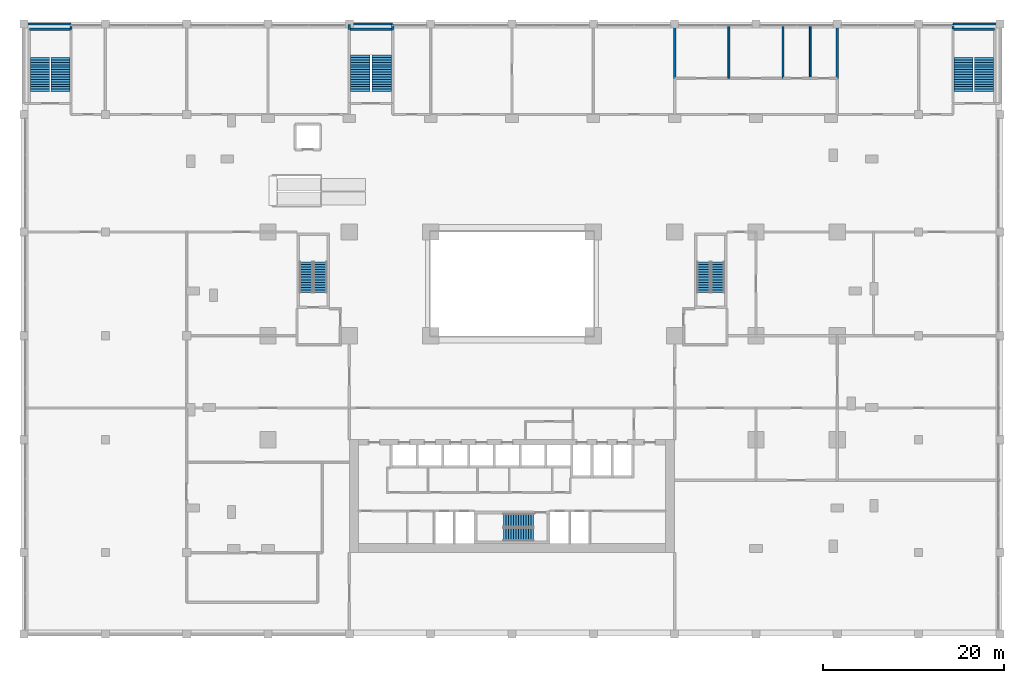
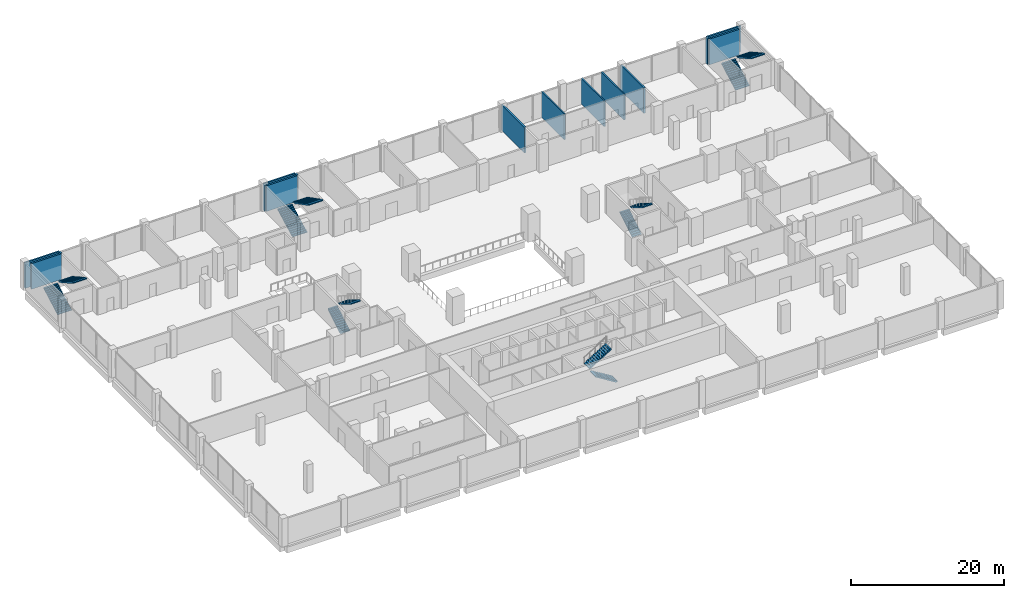
# One storey, part 20 of 22: 15 walls, 12 stair flights, 6 elements without a shape of their own.
"""IFC4 building model written with IfcOpenShell, lengths in metres."""

from ifc_helpers import new_model, si_unit, direction, frame, frame_2d, origin, place, context, subcontext, project, spatial, polyline, rectangle, outline, extrude, material, layer, layer_set, type_object, element, aggregate, save


model = new_model("IFC4")

# Units and contexts
model_context = context("Model", 3, precision=1e-05, world=origin(), true_north=direction((0.0, 1.0)))
body_context = subcontext(model_context, "Body", "Model", "MODEL_VIEW")
ifc_project = project(units=[si_unit("LENGTHUNIT", "METRE"), si_unit("AREAUNIT", "SQUARE_METRE"), si_unit("VOLUMEUNIT", "CUBIC_METRE"), si_unit("PLANEANGLEUNIT", "RADIAN"), si_unit("MASSUNIT", "GRAM", prefix="KILO")], contexts=[model_context])

# Site, building, storey
site_placement = place(None, origin())
site = spatial("IfcSite", under=ifc_project, at=site_placement, CompositionType="ELEMENT")
building_placement = place(site_placement, origin())
building = spatial("IfcBuilding", under=site, at=building_placement, Name="Brigalow Station Residences", CompositionType="ELEMENT")
storey_placement = place(building_placement, frame((0.0, 0.0, 6.5)))
storey = spatial("IfcBuildingStorey", under=building, at=storey_placement, Name="L01", CompositionType="ELEMENT", Elevation=6.5)

# Walls
ifc_material_1 = material(Name="Fire-rated plasterboard on steel studs", Category="steel")
ifc_layer_1 = layer(ifc_material_1, 0.25)
ifc_layer_set_1 = layer_set([ifc_layer_1], Name="FIRE PARTITION 250")
wall_type_1 = type_object("IfcWallType", Name="FIRE PARTITION 250", PredefinedType="PARTITIONING", material=ifc_layer_set_1)
for number, where, z_axis, x_axis, name in (
    (1, (-12.800048828125, 57.925048828125, 0.0), (0.0, 0.0, 1.0), (0.0, 1.0, 0.0), "Fire Partition 250 Retail Unit 1 / Exit Stair St-4 Services Riser North"),
    (2, (18.0, 57.925048828125, 0.0), (0.0, 0.0, 1.0), (0.0, 1.0, 0.0), "Fire Partition 250 Retail Unit 4 / Exit Stair St-6 Services Riser"),
    (3, (22.800048828125, 57.925048828125, 0.0), (0.0, 0.0, 1.0), (0.0, 1.0, 0.0), "Fire Partition 250 Retail Unit 5 / Exit Stair St-6 Services Riser"),
):
    element("IfcWall", number, at=place(storey_placement, frame(where, z_axis=z_axis, x_axis=x_axis)), inside=storey, type_object=wall_type_1, Name=name, PredefinedType="PARTITIONING", context=body_context, shape_type="SweptSolid", body=[
        extrude(rectangle(XDim=0.530029296875, YDim=0.25, at=frame_2d((0.26513671875, 0.0))), origin(), (0.0, 0.0, 1.0), 4.097900390625),
    ])
for number, where, z_axis, x_axis, name in (
    (4, (54.0, 52.5, 0.0), (0.0, 0.0, 1.0), (0.0, 1.0, 0.0), "Fire Partition 250 Retail Unit 6 / Women'S Wc"),
    (5, (72.0, 52.5, 0.0), (0.0, 0.0, 1.0), (0.0, 1.0, 0.0), "Fire Partition 250 Retail Unit 7 / Cleaners Store"),
):
    element("IfcWall", number, at=place(storey_placement, frame(where, z_axis=z_axis, x_axis=x_axis)), inside=storey, type_object=wall_type_1, Name=name, PredefinedType="PARTITIONING", context=body_context, shape_type="SweptSolid", body=[
        extrude(rectangle(XDim=6.0, YDim=0.25, at=frame_2d((3.0, 0.0))), origin(), (0.0, 0.0, 1.0), 4.097900390625),
    ])
wall_1_placement = place(storey_placement, frame((84.800048828125, 57.969970703125, 0.0), z_axis=(0.0, 0.0, 1.0), x_axis=(0.0, 1.0, 0.0)))
element("IfcWall", 6, at=wall_1_placement, inside=storey, type_object=wall_type_1, Name="Fire Partition 250 Retail Unit 8 / Exit Stair St-5 Services Riser North", PredefinedType="PARTITIONING", context=body_context, shape_type="SweptSolid", body=[
    extrude(rectangle(XDim=0.485107421875, YDim=0.25, at=frame_2d((0.24267578125, 0.0))), origin(), (0.0, 0.0, 1.0), 4.097900390625),
])
ifc_material_2 = material(Name="Plasterboard on steel studs with acoustic insulation", Category="steel")
ifc_layer_2 = layer(ifc_material_2, 0.199951171875)
ifc_layer_set_2 = layer_set([ifc_layer_2], Name="PARTITION 200")
wall_type_2 = type_object("IfcWallType", Name="PARTITION 200", PredefinedType="PARTITIONING", material=ifc_layer_set_2)
for number, where, z_axis, x_axis, name in (
    (7, (60.0, 52.5, 0.0), (0.0, 0.0, 1.0), (0.0, 1.0, 0.0), "Partition 200 Women'S Wc / Men'S Wc"),
    (8, (66.0, 52.5, 0.0), (0.0, 0.0, 1.0), (0.0, 1.0, 0.0), "Partition 200 Men'S Wc / Accessible Wc"),
    (9, (69.0, 52.5, 0.0), (0.0, 0.0, 1.0), (0.0, 1.0, 0.0), "Partition 200 Accessible Wc / Cleaners Store"),
):
    element("IfcWall", number, at=place(storey_placement, frame(where, z_axis=z_axis, x_axis=x_axis)), inside=storey, type_object=wall_type_2, Name=name, PredefinedType="PARTITIONING", context=body_context, shape_type="SweptSolid", body=[
        extrude(rectangle(XDim=6.0, YDim=0.199951171875, at=frame_2d((3.0, 0.0))), origin(), (0.0, 0.0, 1.0), 4.097900390625),
    ])
ifc_material_3 = material(Name="Concrete C50", Category="concrete")
ifc_layer_3 = layer(ifc_material_3, 0.25)
ifc_layer_set_3 = layer_set([ifc_layer_3], Name="STAIR ENCLOSURE 250")
wall_type_3 = type_object("IfcWallType", Name="STAIR ENCLOSURE 250", PredefinedType="SOLIDWALL", material=ifc_layer_set_3)
for number, where, z_axis, x_axis, name in (
    (10, (-17.3798828125, 57.925048828125, 0.0), (0.0, 0.0, 1.0), (1.0, 0.0, 0.0), "Stair Enclosure 250 Exit Stair St-4 / Exit Stair St-4 Services Riser North"),
    (11, (84.844970703125, 57.925048828125, 0.0), (0.0, 0.0, 1.0), (1.0, 0.0, 0.0), "Stair Enclosure 250 Exit Stair St-5 / Exit Stair St-5 Services Riser North"),
):
    element("IfcWall", number, at=place(storey_placement, frame(where, z_axis=z_axis, x_axis=x_axis)), inside=storey, type_object=wall_type_3, Name=name, PredefinedType="SOLIDWALL", context=body_context, shape_type="SweptSolid", body=[
        extrude(rectangle(XDim=4.534912109375, YDim=0.25, at=frame_2d((2.267578125, 0.0))), origin(), (0.0, 0.0, 1.0), 4.097900390625),
    ])
wall_2_placement = place(storey_placement, frame((18.044921875, 57.925048828125, 0.0), z_axis=(0.0, 0.0, 1.0), x_axis=(1.0, 0.0, 0.0)))
element("IfcWall", 12, at=wall_2_placement, inside=storey, type_object=wall_type_3, Name="Stair Enclosure 250 Exit Stair St-6 / Exit Stair St-6 Services Riser", PredefinedType="SOLIDWALL", context=body_context, shape_type="SweptSolid", body=[
    extrude(rectangle(XDim=4.7099609375, YDim=0.25, at=frame_2d((2.35498046875, 0.0))), origin(), (0.0, 0.0, 1.0), 4.097900390625),
])
ifc_material_4 = material(Name="Concrete C50", Category="concrete")
ifc_layer_4 = layer(ifc_material_4, 0.25)
ifc_layer_set_4 = layer_set([ifc_layer_4], Name="STAIR ROOF WALL 250")
wall_type_4 = type_object("IfcWallType", Name="STAIR ROOF WALL 250", PredefinedType="SOLIDWALL", material=ifc_layer_set_4)
wall_3_placement = place(storey_placement, frame((-18.0, 58.5, 0.0), z_axis=(0.0, 0.0, 1.0), x_axis=(1.0, 0.0, 0.0)))
element("IfcWall", 13, at=wall_3_placement, inside=storey, type_object=wall_type_4, Name="Stair Roof Wall 250 Exit Stair St-4 Services Riser North / OUT", PredefinedType="SOLIDWALL", context=body_context, shape_type="SweptSolid", body=[
    extrude(rectangle(XDim=5.199951171875, YDim=0.25, at=frame_2d((2.60009765625, 0.0))), origin(), (0.0, 0.0, 1.0), 4.097900390625),
])
wall_4_placement = place(storey_placement, frame((84.800048828125, 58.5, 0.0), z_axis=(0.0, 0.0, 1.0), x_axis=(1.0, 0.0, 0.0)))
element("IfcWall", 14, at=wall_4_placement, inside=storey, type_object=wall_type_4, Name="Stair Roof Wall 250 Exit Stair St-5 Services Riser North / OUT", PredefinedType="SOLIDWALL", context=body_context, shape_type="SweptSolid", body=[
    extrude(rectangle(XDim=5.155029296875, YDim=0.25, at=frame_2d((2.57763671875, 0.0))), origin(), (0.0, 0.0, 1.0), 4.097900390625),
])
wall_5_placement = place(storey_placement, frame((18.0, 58.5, 0.0), z_axis=(0.0, 0.0, 1.0), x_axis=(1.0, 0.0, 0.0)))
element("IfcWall", 15, at=wall_5_placement, inside=storey, type_object=wall_type_4, Name="Stair Roof Wall 250 Exit Stair St-6 Services Riser / OUT", PredefinedType="SOLIDWALL", context=body_context, shape_type="SweptSolid", body=[
    extrude(rectangle(XDim=4.800048828125, YDim=0.25, at=frame_2d((2.39990234375, 0.0))), origin(), (0.0, 0.0, 1.0), 4.097900390625),
])

# Stair, stair flights
ifc_material_5 = material(Name="Concrete C50", Category="concrete")
stair_type_1 = type_object("IfcStairType", Name="EXIT STAIR 1400 2 FLIGHT", PredefinedType="HALF_TURN_STAIR", material=ifc_material_5)
stair_1_placement = place(storey_placement, origin())
stair_1 = element("IfcStair", 16, at=stair_1_placement, inside=storey, type_object=stair_type_1, Name="EXIT STAIR S2 L01", PredefinedType="HALF_TURN_STAIR")
ifc_material_6 = material(Name="Concrete C50", Category="concrete")
stair_flight_type_1 = type_object("IfcStairFlightType", Name="STAIR FLIGHT 1400", PredefinedType="STRAIGHT", material=ifc_material_6)
stair_flight_1_placement = place(storey_placement, frame((38.39990234375, 2.0, 0.0), z_axis=(0.0, 0.0, 1.0), x_axis=(-1.0, 0.0, 0.0)))
stair_flight_1 = element("IfcStairFlight", 17, at=stair_flight_1_placement, type_object=stair_flight_type_1, Name="ST-2 flight 1", NumberOfRisers=13, NumberOfTreads=12, PredefinedType="STRAIGHT", RiserHeight=0.173076923, TreadLength=0.28, context=body_context, shape_type="SweptSolid", body=[
    extrude(outline(polyline([(0.0, 0.0), (0.0, 0.173095703125), (0.280029296875, 0.173095703125), (0.280029296875, 0.34619140625), (0.56005859375, 0.34619140625), (0.56005859375, 0.519287109375), (0.840087890625, 0.519287109375), (0.840087890625, 0.6923828125), (1.1201171875, 0.6923828125), (1.1201171875, 0.865478515625), (1.39990234375, 0.865478515625), (1.39990234375, 1.03857421875), (1.679931640625, 1.03857421875), (1.679931640625, 1.21142578125), (1.9599609375, 1.21142578125), (1.9599609375, 1.384521484375), (2.239990234375, 1.384521484375), (2.239990234375, 1.5576171875), (2.52001953125, 1.5576171875), (2.52001953125, 1.730712890625), (2.800048828125, 1.730712890625), (2.800048828125, 1.90380859375), (3.080078125, 1.90380859375), (3.080078125, 2.076904296875), (3.360107421875, 2.076904296875), (3.360107421875, 2.25), (3.360107421875, 1.900634765625), (0.28515625, 0.0), (0.0, 0.0)])), frame((0.0, 0.699951171875, 0.0), z_axis=(0.0, -1.0, 0.0), x_axis=(1.0, 0.0, 0.0)), (0.0, 0.0, 1.0), 1.39990234375),
])
stair_flight_2_placement = place(storey_placement, frame((35.0400390625, 3.60009765625, 2.25), z_axis=(0.0, 0.0, 1.0), x_axis=(1.0, 0.0, 0.0)))
stair_flight_2 = element("IfcStairFlight", 18, at=stair_flight_2_placement, type_object=stair_flight_type_1, Name="ST-2 flight 2", NumberOfRisers=13, NumberOfTreads=12, PredefinedType="STRAIGHT", RiserHeight=0.173076923, TreadLength=0.28, context=body_context, shape_type="SweptSolid", body=[
    extrude(outline(polyline([(0.0, 0.0), (0.0, 0.173095703125), (0.280029296875, 0.173095703125), (0.280029296875, 0.34619140625), (0.56005859375, 0.34619140625), (0.56005859375, 0.519287109375), (0.840087890625, 0.519287109375), (0.840087890625, 0.6923828125), (1.1201171875, 0.6923828125), (1.1201171875, 0.865478515625), (1.39990234375, 0.865478515625), (1.39990234375, 1.03857421875), (1.679931640625, 1.03857421875), (1.679931640625, 1.21142578125), (1.9599609375, 1.21142578125), (1.9599609375, 1.384521484375), (2.239990234375, 1.384521484375), (2.239990234375, 1.5576171875), (2.52001953125, 1.5576171875), (2.52001953125, 1.730712890625), (2.800048828125, 1.730712890625), (2.800048828125, 1.90380859375), (3.080078125, 1.90380859375), (3.080078125, 2.076904296875), (3.360107421875, 2.076904296875), (3.360107421875, 2.25), (3.360107421875, 1.900634765625), (0.28515625, 0.0), (0.0, 0.0)])), frame((0.0, 0.699951171875, 0.0), z_axis=(0.0, -1.0, 0.0), x_axis=(1.0, 0.0, 0.0)), (0.0, 0.0, 1.0), 1.39990234375),
])
aggregate(stair_1, [stair_flight_1, stair_flight_2])

stair_2_placement = place(storey_placement, origin())
stair_2 = element("IfcStair", 19, at=stair_2_placement, inside=storey, type_object=stair_type_1, Name="EXIT STAIR S1 L01", PredefinedType="HALF_TURN_STAIR")
stair_flight_3_placement = place(storey_placement, frame((13.199951171875, 28.800048828125, 0.0), z_axis=(0.0, 0.0, 1.0), x_axis=(0.0, 1.0, 0.0)))
stair_flight_3 = element("IfcStairFlight", 20, at=stair_flight_3_placement, type_object=stair_flight_type_1, Name="ST-1 flight 1", NumberOfRisers=13, NumberOfTreads=12, PredefinedType="STRAIGHT", RiserHeight=0.173076923, TreadLength=0.28, context=body_context, shape_type="SweptSolid", body=[
    extrude(outline(polyline([(0.0, 0.0), (0.0, 0.173095703125), (0.280029296875, 0.173095703125), (0.280029296875, 0.34619140625), (0.56005859375, 0.34619140625), (0.56005859375, 0.519287109375), (0.840087890625, 0.519287109375), (0.840087890625, 0.6923828125), (1.1201171875, 0.6923828125), (1.1201171875, 0.865478515625), (1.39990234375, 0.865478515625), (1.39990234375, 1.03857421875), (1.679931640625, 1.03857421875), (1.679931640625, 1.21142578125), (1.9599609375, 1.21142578125), (1.9599609375, 1.384521484375), (2.239990234375, 1.384521484375), (2.239990234375, 1.5576171875), (2.52001953125, 1.5576171875), (2.52001953125, 1.730712890625), (2.800048828125, 1.730712890625), (2.800048828125, 1.90380859375), (3.080078125, 1.90380859375), (3.080078125, 2.076904296875), (3.360107421875, 2.076904296875), (3.360107421875, 2.25), (3.360107421875, 1.900634765625), (0.28515625, 0.0), (0.0, 0.0)])), frame((0.0, 0.699951171875, 0.0), z_axis=(0.0, -1.0, 0.0), x_axis=(1.0, 0.0, 0.0)), (0.0, 0.0, 1.0), 1.39990234375),
])
stair_flight_4_placement = place(storey_placement, frame((14.800048828125, 32.159912109375, 2.25), z_axis=(0.0, 0.0, 1.0), x_axis=(0.0, -1.0, 0.0)))
stair_flight_4 = element("IfcStairFlight", 21, at=stair_flight_4_placement, type_object=stair_flight_type_1, Name="ST-1 flight 2", NumberOfRisers=13, NumberOfTreads=12, PredefinedType="STRAIGHT", RiserHeight=0.173076923, TreadLength=0.28, context=body_context, shape_type="SweptSolid", body=[
    extrude(outline(polyline([(0.0, 0.0), (0.0, 0.173095703125), (0.280029296875, 0.173095703125), (0.280029296875, 0.34619140625), (0.56005859375, 0.34619140625), (0.56005859375, 0.519287109375), (0.840087890625, 0.519287109375), (0.840087890625, 0.6923828125), (1.1201171875, 0.6923828125), (1.1201171875, 0.865478515625), (1.39990234375, 0.865478515625), (1.39990234375, 1.03857421875), (1.679931640625, 1.03857421875), (1.679931640625, 1.21142578125), (1.9599609375, 1.21142578125), (1.9599609375, 1.384521484375), (2.239990234375, 1.384521484375), (2.239990234375, 1.5576171875), (2.52001953125, 1.5576171875), (2.52001953125, 1.730712890625), (2.800048828125, 1.730712890625), (2.800048828125, 1.90380859375), (3.080078125, 1.90380859375), (3.080078125, 2.076904296875), (3.360107421875, 2.076904296875), (3.360107421875, 2.25), (3.360107421875, 1.900634765625), (0.28515625, 0.0), (0.0, 0.0)])), frame((0.0, 0.699951171875, 0.0), z_axis=(0.0, -1.0, 0.0), x_axis=(1.0, 0.0, 0.0)), (0.0, 0.0, 1.0), 1.39990234375),
])
aggregate(stair_2, [stair_flight_3, stair_flight_4])

stair_3_placement = place(storey_placement, origin())
stair_3 = element("IfcStair", 22, at=stair_3_placement, inside=storey, type_object=stair_type_1, Name="EXIT STAIR S3 L01", PredefinedType="HALF_TURN_STAIR")
stair_flight_5_placement = place(storey_placement, frame((57.199951171875, 28.800048828125, 0.0), z_axis=(0.0, 0.0, 1.0), x_axis=(0.0, 1.0, 0.0)))
stair_flight_5 = element("IfcStairFlight", 23, at=stair_flight_5_placement, type_object=stair_flight_type_1, Name="ST-3 flight 1", NumberOfRisers=13, NumberOfTreads=12, PredefinedType="STRAIGHT", RiserHeight=0.173076923, TreadLength=0.28, context=body_context, shape_type="SweptSolid", body=[
    extrude(outline(polyline([(0.0, 0.0), (0.0, 0.173095703125), (0.280029296875, 0.173095703125), (0.280029296875, 0.34619140625), (0.56005859375, 0.34619140625), (0.56005859375, 0.519287109375), (0.840087890625, 0.519287109375), (0.840087890625, 0.6923828125), (1.1201171875, 0.6923828125), (1.1201171875, 0.865478515625), (1.39990234375, 0.865478515625), (1.39990234375, 1.03857421875), (1.679931640625, 1.03857421875), (1.679931640625, 1.21142578125), (1.9599609375, 1.21142578125), (1.9599609375, 1.384521484375), (2.239990234375, 1.384521484375), (2.239990234375, 1.5576171875), (2.52001953125, 1.5576171875), (2.52001953125, 1.730712890625), (2.800048828125, 1.730712890625), (2.800048828125, 1.90380859375), (3.080078125, 1.90380859375), (3.080078125, 2.076904296875), (3.360107421875, 2.076904296875), (3.360107421875, 2.25), (3.360107421875, 1.900634765625), (0.28515625, 0.0), (0.0, 0.0)])), frame((0.0, 0.699951171875, 0.0), z_axis=(0.0, -1.0, 0.0), x_axis=(1.0, 0.0, 0.0)), (0.0, 0.0, 1.0), 1.39990234375),
])
stair_flight_6_placement = place(storey_placement, frame((58.800048828125, 32.159912109375, 2.25), z_axis=(0.0, 0.0, 1.0), x_axis=(0.0, -1.0, 0.0)))
stair_flight_6 = element("IfcStairFlight", 24, at=stair_flight_6_placement, type_object=stair_flight_type_1, Name="ST-3 flight 2", NumberOfRisers=13, NumberOfTreads=12, PredefinedType="STRAIGHT", RiserHeight=0.173076923, TreadLength=0.28, context=body_context, shape_type="SweptSolid", body=[
    extrude(outline(polyline([(0.0, 0.0), (0.0, 0.173095703125), (0.280029296875, 0.173095703125), (0.280029296875, 0.34619140625), (0.56005859375, 0.34619140625), (0.56005859375, 0.519287109375), (0.840087890625, 0.519287109375), (0.840087890625, 0.6923828125), (1.1201171875, 0.6923828125), (1.1201171875, 0.865478515625), (1.39990234375, 0.865478515625), (1.39990234375, 1.03857421875), (1.679931640625, 1.03857421875), (1.679931640625, 1.21142578125), (1.9599609375, 1.21142578125), (1.9599609375, 1.384521484375), (2.239990234375, 1.384521484375), (2.239990234375, 1.5576171875), (2.52001953125, 1.5576171875), (2.52001953125, 1.730712890625), (2.800048828125, 1.730712890625), (2.800048828125, 1.90380859375), (3.080078125, 1.90380859375), (3.080078125, 2.076904296875), (3.360107421875, 2.076904296875), (3.360107421875, 2.25), (3.360107421875, 1.900634765625), (0.28515625, 0.0), (0.0, 0.0)])), frame((0.0, 0.699951171875, 0.0), z_axis=(0.0, -1.0, 0.0), x_axis=(1.0, 0.0, 0.0)), (0.0, 0.0, 1.0), 1.39990234375),
])
aggregate(stair_3, [stair_flight_5, stair_flight_6])

ifc_material_7 = material(Name="Concrete C50", Category="concrete")
stair_type_2 = type_object("IfcStairType", Name="STAIR EXIT 2087 2 FLIGHTS", PredefinedType="TWO_STRAIGHT_RUN_STAIR", material=ifc_material_7)
stair_4_placement = place(storey_placement, origin())
stair_4 = element("IfcStair", 25, at=stair_4_placement, inside=storey, type_object=stair_type_2, Name="Exit stair ST-4", PredefinedType="TWO_STRAIGHT_RUN_STAIR")
ifc_material_8 = material(Name="Concrete C50", Category="concrete")
ifc_layer_5 = layer(ifc_material_8, 0.14990234375)
ifc_layer_set_5 = layer_set([ifc_layer_5], Name="STAIR FLIGHT 2087")
stair_flight_type_2 = type_object("IfcStairFlightType", Name="STAIR FLIGHT 2087", PredefinedType="STRAIGHT", material=ifc_layer_set_5)
stair_flight_7_placement = place(storey_placement, frame((-16.256103515625, 51.02490234375, 0.0), z_axis=(0.0, 0.0, 1.0), x_axis=(0.0, 1.0, 0.0)))
stair_flight_7 = element("IfcStairFlight", 26, at=stair_flight_7_placement, type_object=stair_flight_type_2, Name="ST-4 flight 1", NumberOfRisers=15, NumberOfTreads=14, PredefinedType="STRAIGHT", RiserHeight=0.15, TreadLength=0.27, context=body_context, shape_type="SweptSolid", body=[
    extrude(outline(polyline([(0.0, 0.0), (0.0, 0.14990234375), (0.27001953125, 0.14990234375), (0.27001953125, 0.300048828125), (0.5400390625, 0.300048828125), (0.5400390625, 0.449951171875), (0.81005859375, 0.449951171875), (0.81005859375, 0.60009765625), (1.080078125, 0.60009765625), (1.080078125, 0.75), (1.35009765625, 0.75), (1.35009765625, 0.89990234375), (1.6201171875, 0.89990234375), (1.6201171875, 1.050048828125), (1.889892578125, 1.050048828125), (1.889892578125, 1.199951171875), (2.159912109375, 1.199951171875), (2.159912109375, 1.35009765625), (2.429931640625, 1.35009765625), (2.429931640625, 1.5), (2.699951171875, 1.5), (2.699951171875, 1.64990234375), (2.969970703125, 1.64990234375), (2.969970703125, 1.800048828125), (3.239990234375, 1.800048828125), (3.239990234375, 1.949951171875), (3.510009765625, 1.949951171875), (3.510009765625, 2.10009765625), (3.780029296875, 2.10009765625), (3.780029296875, 2.25), (3.780029296875, 1.928466796875), (0.30859375, 0.0), (0.0, 0.0)])), frame((0.0, 1.04345703125, 0.0), z_axis=(0.0, -1.0, 0.0), x_axis=(1.0, 0.0, 0.0)), (0.0, 0.0, 1.0), 2.0869140625),
])
stair_flight_8_placement = place(storey_placement, frame((-13.968994140625, 54.804931640625, 2.25), z_axis=(0.0, 0.0, 1.0), x_axis=(0.0, -1.0, 0.0)))
stair_flight_8 = element("IfcStairFlight", 27, at=stair_flight_8_placement, type_object=stair_flight_type_2, Name="ST-4 flight 2", NumberOfRisers=15, NumberOfTreads=14, PredefinedType="STRAIGHT", RiserHeight=0.15, TreadLength=0.27, context=body_context, shape_type="SweptSolid", body=[
    extrude(outline(polyline([(0.0, 0.0), (0.0, 0.14990234375), (0.27001953125, 0.14990234375), (0.27001953125, 0.300048828125), (0.5400390625, 0.300048828125), (0.5400390625, 0.449951171875), (0.81005859375, 0.449951171875), (0.81005859375, 0.60009765625), (1.080078125, 0.60009765625), (1.080078125, 0.75), (1.35009765625, 0.75), (1.35009765625, 0.89990234375), (1.6201171875, 0.89990234375), (1.6201171875, 1.050048828125), (1.889892578125, 1.050048828125), (1.889892578125, 1.199951171875), (2.159912109375, 1.199951171875), (2.159912109375, 1.35009765625), (2.429931640625, 1.35009765625), (2.429931640625, 1.5), (2.699951171875, 1.5), (2.699951171875, 1.64990234375), (2.969970703125, 1.64990234375), (2.969970703125, 1.800048828125), (3.239990234375, 1.800048828125), (3.239990234375, 1.949951171875), (3.510009765625, 1.949951171875), (3.510009765625, 2.10009765625), (3.780029296875, 2.10009765625), (3.780029296875, 2.25), (3.780029296875, 1.928466796875), (0.30859375, 0.0), (0.0, 0.0)])), frame((0.0, 1.04345703125, 0.0), z_axis=(0.0, -1.0, 0.0), x_axis=(1.0, 0.0, 0.0)), (0.0, 0.0, 1.0), 2.0869140625),
])
aggregate(stair_4, [stair_flight_7, stair_flight_8])

stair_5_placement = place(storey_placement, origin())
stair_5 = element("IfcStair", 28, at=stair_5_placement, inside=storey, type_object=stair_type_2, Name="Exit stair ST-5", PredefinedType="TWO_STRAIGHT_RUN_STAIR")
stair_flight_9_placement = place(storey_placement, frame((85.968994140625, 51.02490234375, 0.0), z_axis=(0.0, 0.0, 1.0), x_axis=(0.0, 1.0, 0.0)))
stair_flight_9 = element("IfcStairFlight", 29, at=stair_flight_9_placement, type_object=stair_flight_type_2, Name="ST-5 flight 1", NumberOfRisers=15, NumberOfTreads=14, PredefinedType="STRAIGHT", RiserHeight=0.15, TreadLength=0.27, context=body_context, shape_type="SweptSolid", body=[
    extrude(outline(polyline([(0.0, 0.0), (0.0, 0.14990234375), (0.27001953125, 0.14990234375), (0.27001953125, 0.300048828125), (0.5400390625, 0.300048828125), (0.5400390625, 0.449951171875), (0.81005859375, 0.449951171875), (0.81005859375, 0.60009765625), (1.080078125, 0.60009765625), (1.080078125, 0.75), (1.35009765625, 0.75), (1.35009765625, 0.89990234375), (1.6201171875, 0.89990234375), (1.6201171875, 1.050048828125), (1.889892578125, 1.050048828125), (1.889892578125, 1.199951171875), (2.159912109375, 1.199951171875), (2.159912109375, 1.35009765625), (2.429931640625, 1.35009765625), (2.429931640625, 1.5), (2.699951171875, 1.5), (2.699951171875, 1.64990234375), (2.969970703125, 1.64990234375), (2.969970703125, 1.800048828125), (3.239990234375, 1.800048828125), (3.239990234375, 1.949951171875), (3.510009765625, 1.949951171875), (3.510009765625, 2.10009765625), (3.780029296875, 2.10009765625), (3.780029296875, 2.25), (3.780029296875, 1.928466796875), (0.30859375, 0.0), (0.0, 0.0)])), frame((0.0, 1.04345703125, 0.0), z_axis=(0.0, -1.0, 0.0), x_axis=(1.0, 0.0, 0.0)), (0.0, 0.0, 1.0), 2.0869140625),
])
stair_flight_10_placement = place(storey_placement, frame((88.256103515625, 54.804931640625, 2.25), z_axis=(0.0, 0.0, 1.0), x_axis=(0.0, -1.0, 0.0)))
stair_flight_10 = element("IfcStairFlight", 30, at=stair_flight_10_placement, type_object=stair_flight_type_2, Name="ST-5 flight 2", NumberOfRisers=15, NumberOfTreads=14, PredefinedType="STRAIGHT", RiserHeight=0.15, TreadLength=0.27, context=body_context, shape_type="SweptSolid", body=[
    extrude(outline(polyline([(0.0, 0.0), (0.0, 0.14990234375), (0.27001953125, 0.14990234375), (0.27001953125, 0.300048828125), (0.5400390625, 0.300048828125), (0.5400390625, 0.449951171875), (0.81005859375, 0.449951171875), (0.81005859375, 0.60009765625), (1.080078125, 0.60009765625), (1.080078125, 0.75), (1.35009765625, 0.75), (1.35009765625, 0.89990234375), (1.6201171875, 0.89990234375), (1.6201171875, 1.050048828125), (1.889892578125, 1.050048828125), (1.889892578125, 1.199951171875), (2.159912109375, 1.199951171875), (2.159912109375, 1.35009765625), (2.429931640625, 1.35009765625), (2.429931640625, 1.5), (2.699951171875, 1.5), (2.699951171875, 1.64990234375), (2.969970703125, 1.64990234375), (2.969970703125, 1.800048828125), (3.239990234375, 1.800048828125), (3.239990234375, 1.949951171875), (3.510009765625, 1.949951171875), (3.510009765625, 2.10009765625), (3.780029296875, 2.10009765625), (3.780029296875, 2.25), (3.780029296875, 1.928466796875), (0.30859375, 0.0), (0.0, 0.0)])), frame((0.0, 1.04345703125, 0.0), z_axis=(0.0, -1.0, 0.0), x_axis=(1.0, 0.0, 0.0)), (0.0, 0.0, 1.0), 2.0869140625),
])
aggregate(stair_5, [stair_flight_9, stair_flight_10])

ifc_material_9 = material(Name="Concrete C50", Category="concrete")
stair_type_3 = type_object("IfcStairType", Name="STAIR EXIT 2175 2 FLIGHTS", PredefinedType="TWO_STRAIGHT_RUN_STAIR", material=ifc_material_9)
stair_6_placement = place(storey_placement, origin())
stair_6 = element("IfcStair", 31, at=stair_6_placement, inside=storey, type_object=stair_type_3, Name="Exit stair ST-6", PredefinedType="TWO_STRAIGHT_RUN_STAIR")
ifc_material_10 = material(Name="Concrete C50", Category="concrete")
ifc_layer_6 = layer(ifc_material_10, 0.14990234375)
ifc_layer_set_6 = layer_set([ifc_layer_6], Name="STAIR FLIGHT 2175")
stair_flight_type_3 = type_object("IfcStairFlightType", Name="STAIR FLIGHT 2175", PredefinedType="STRAIGHT", material=ifc_layer_set_6)
stair_flight_11_placement = place(storey_placement, frame((19.2119140625, 51.02490234375, 0.0), z_axis=(0.0, 0.0, 1.0), x_axis=(0.0, 1.0, 0.0)))
stair_flight_11 = element("IfcStairFlight", 32, at=stair_flight_11_placement, type_object=stair_flight_type_3, Name="ST-6 flight 1", NumberOfRisers=16, NumberOfTreads=15, PredefinedType="STRAIGHT", RiserHeight=0.140625, TreadLength=0.27, context=body_context, shape_type="SweptSolid", body=[
    extrude(outline(polyline([(0.0, 0.0), (0.0, 0.140625), (0.27001953125, 0.140625), (0.27001953125, 0.28125), (0.5400390625, 0.28125), (0.5400390625, 0.421875), (0.81005859375, 0.421875), (0.81005859375, 0.5625), (1.080078125, 0.5625), (1.080078125, 0.703125), (1.35009765625, 0.703125), (1.35009765625, 0.84375), (1.6201171875, 0.84375), (1.6201171875, 0.984375), (1.889892578125, 0.984375), (1.889892578125, 1.125), (2.159912109375, 1.125), (2.159912109375, 1.265625), (2.429931640625, 1.265625), (2.429931640625, 1.40625), (2.699951171875, 1.40625), (2.699951171875, 1.546875), (2.969970703125, 1.546875), (2.969970703125, 1.6875), (3.239990234375, 1.6875), (3.239990234375, 1.828125), (3.510009765625, 1.828125), (3.510009765625, 1.96875), (3.780029296875, 1.96875), (3.780029296875, 2.109375), (4.050048828125, 2.109375), (4.050048828125, 2.25), (4.050048828125, 1.9404296875), (0.324462890625, 0.0), (0.0, 0.0)])), frame((0.0, 1.08740234375, 0.0), z_axis=(0.0, -1.0, 0.0), x_axis=(1.0, 0.0, 0.0)), (0.0, 0.0, 1.0), 2.175048828125),
])
stair_flight_12_placement = place(storey_placement, frame((21.5869140625, 55.074951171875, 2.25), z_axis=(0.0, 0.0, 1.0), x_axis=(0.0, -1.0, 0.0)))
stair_flight_12 = element("IfcStairFlight", 33, at=stair_flight_12_placement, type_object=stair_flight_type_3, Name="ST-6 flight 2", NumberOfRisers=16, NumberOfTreads=15, PredefinedType="STRAIGHT", RiserHeight=0.140625, TreadLength=0.27, context=body_context, shape_type="SweptSolid", body=[
    extrude(outline(polyline([(0.0, 0.0), (0.0, 0.140625), (0.27001953125, 0.140625), (0.27001953125, 0.28125), (0.5400390625, 0.28125), (0.5400390625, 0.421875), (0.81005859375, 0.421875), (0.81005859375, 0.5625), (1.080078125, 0.5625), (1.080078125, 0.703125), (1.35009765625, 0.703125), (1.35009765625, 0.84375), (1.6201171875, 0.84375), (1.6201171875, 0.984375), (1.889892578125, 0.984375), (1.889892578125, 1.125), (2.159912109375, 1.125), (2.159912109375, 1.265625), (2.429931640625, 1.265625), (2.429931640625, 1.40625), (2.699951171875, 1.40625), (2.699951171875, 1.546875), (2.969970703125, 1.546875), (2.969970703125, 1.6875), (3.239990234375, 1.6875), (3.239990234375, 1.828125), (3.510009765625, 1.828125), (3.510009765625, 1.96875), (3.780029296875, 1.96875), (3.780029296875, 2.109375), (4.050048828125, 2.109375), (4.050048828125, 2.25), (4.050048828125, 1.9404296875), (0.324462890625, 0.0), (0.0, 0.0)])), frame((0.0, 1.08740234375, 0.0), z_axis=(0.0, -1.0, 0.0), x_axis=(1.0, 0.0, 0.0)), (0.0, 0.0, 1.0), 2.175048828125),
])
aggregate(stair_6, [stair_flight_11, stair_flight_12])

save(model, "model.ifc")
